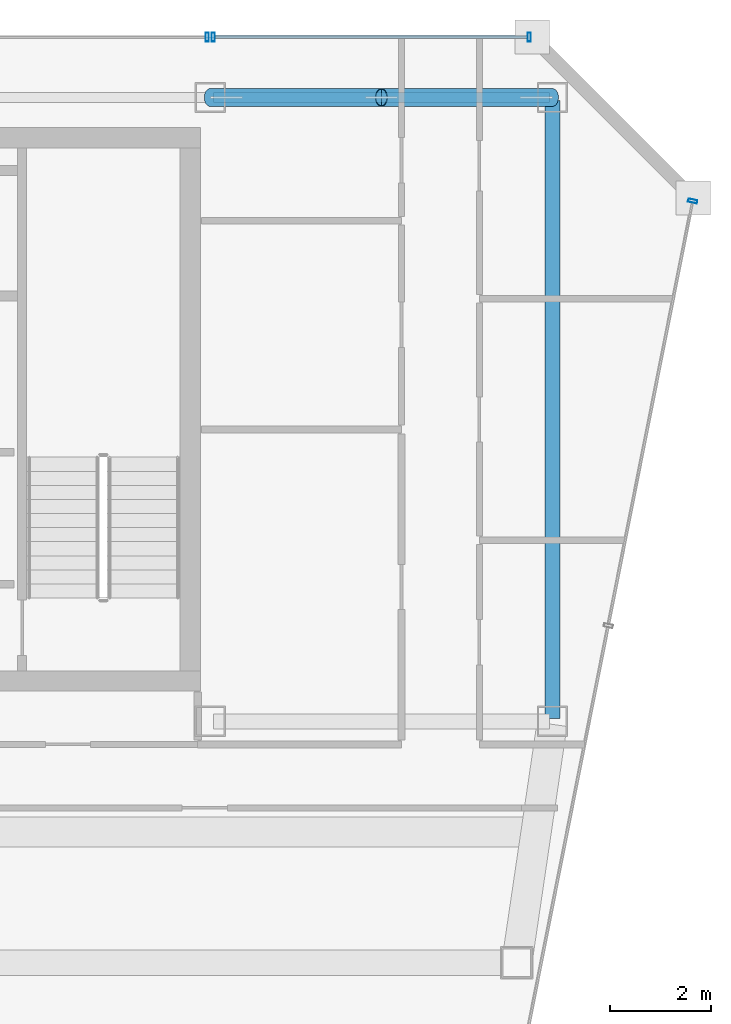
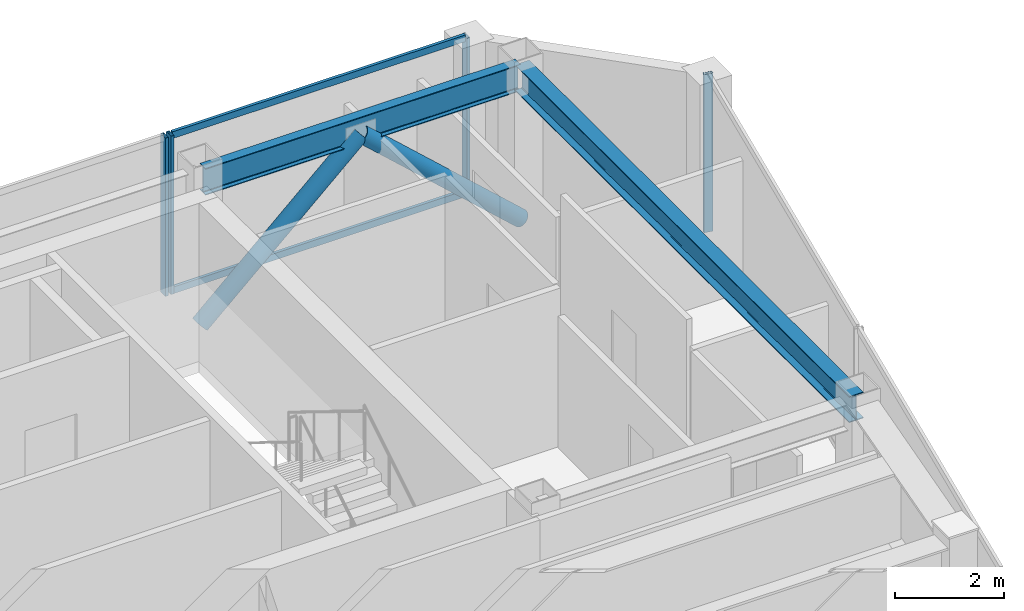
# One storey, part 17 of 24: 8 members, 2 beams, 3 elements without a shape of their own.
"""IFC4 building model written with IfcOpenShell, lengths in metres."""

from ifc_helpers import new_model, si_unit, direction, frame, origin, origin_2d, place, context, subcontext, project, spatial, hollow_rectangle, hollow_circle, i_section, extrude, material, material_profile, profile_set, type_object, element, aggregate, save


model = new_model("IFC4")

# Units and contexts
model_context = context("Model", 3, precision=1e-05, world=origin(), true_north=direction((0.0, 1.0)))
body_context = subcontext(model_context, "Body", "Model", "MODEL_VIEW")
ifc_project = project(units=[si_unit("LENGTHUNIT", "METRE"), si_unit("AREAUNIT", "SQUARE_METRE"), si_unit("VOLUMEUNIT", "CUBIC_METRE"), si_unit("PLANEANGLEUNIT", "RADIAN"), si_unit("MASSUNIT", "GRAM", prefix="KILO")], contexts=[model_context])

# Site, building, storey
site_placement = place(None, origin())
site = spatial("IfcSite", under=ifc_project, at=site_placement, CompositionType="ELEMENT")
building_placement = place(site_placement, origin())
building = spatial("IfcBuilding", under=site, at=building_placement, Name="Saevonmaru Cultural Tower", CompositionType="ELEMENT")
storey_placement = place(building_placement, frame((0.0, 0.0, 306.60009765625)))
storey = spatial("IfcBuildingStorey", under=building, at=storey_placement, Name="L73", CompositionType="ELEMENT", Elevation=306.60009765625)

# Beams
ifc_material_1 = material(Name="Steel SM355", Category="steel")
ifc_material_profile_1 = material_profile(ifc_material_1, i_section(OverallWidth=0.300048828125, OverallDepth=0.587890625, WebThickness=0.011962890625, FlangeThickness=0.02001953125, FilletRadius=0.02392578125, at=origin_2d()), Name="H-588x300x12x20")
ifc_profile_set_1 = profile_set([ifc_material_profile_1], Name="Steel SM355")
beam_type_1 = type_object("IfcBeamType", Name="BM-G-H588", PredefinedType="BEAM", material=ifc_profile_set_1)
beam_1_placement = place(storey_placement, frame((53.199951171875, 54.739990234375, 3.255859375), z_axis=(0.0, -1.0, 0.0), x_axis=(1.0, 0.0, 0.0)))
element("IfcBeam", 1, at=beam_1_placement, inside=storey, type_object=beam_type_1, Name="L73 Spine Transverse Girder E", PredefinedType="BEAM", context=body_context, shape_type="SweptSolid", body=[
    extrude(i_section(OverallWidth=0.300048828125, OverallDepth=0.587890625, WebThickness=0.011962890625, FlangeThickness=0.02001953125, FilletRadius=0.02392578125, at=origin_2d()), origin(), (0.0, 0.0, 1.0), 12.280029296875),
])
ifc_material_profile_2 = material_profile(ifc_material_1, i_section(OverallWidth=0.199951171875, OverallDepth=0.60009765625, WebThickness=0.010986328125, FlangeThickness=0.01708984375, FilletRadius=0.02197265625, at=origin_2d()), Name="H-600x200x11x17")
ifc_profile_set_2 = profile_set([ifc_material_profile_2], Name="Steel SM355")
beam_type_2 = type_object("IfcBeamType", Name="BM-SP-H600", PredefinedType="SPANDREL", material=ifc_profile_set_2)
beam_2_placement = place(storey_placement, frame((46.4599609375, 54.800048828125, 3.25), z_axis=(1.0, 0.0, 0.0), x_axis=(0.0, 1.0, 0.0)))
element("IfcBeam", 2, at=beam_2_placement, inside=storey, type_object=beam_type_2, Name="L73 North Spine Girder 5", PredefinedType="SPANDREL", context=body_context, shape_type="SweptSolid", body=[
    extrude(i_section(OverallWidth=0.199951171875, OverallDepth=0.60009765625, WebThickness=0.010986328125, FlangeThickness=0.01708984375, FilletRadius=0.02197265625, at=origin_2d()), origin(), (0.0, 0.0, 1.0), 6.679931640625),
])

# Members
ifc_material_profile_3 = material_profile(ifc_material_1, hollow_circle(Radius=0.177734375, WallThickness=0.01611328125, at=origin_2d()), Name="CHS-355.6x16")
ifc_profile_set_3 = profile_set([ifc_material_profile_3], Name="Steel SM355")
member_type_1 = type_object("IfcMemberType", Name="MB-PBR-CHS356", PredefinedType="BRACE", material=ifc_profile_set_3)
member_1_placement = place(storey_placement, frame((46.39990234375, 54.800048828125, 0.02001953125), z_axis=(0.738986146064, 0.0, 0.673720621568), x_axis=(0.0, 1.0, 0.0)))
element("IfcMember", 3, at=member_1_placement, inside=storey, type_object=member_type_1, Name="L73 Perimeter Braced-Tube Diagonal EN1", PredefinedType="BRACE", context=body_context, shape_type="SweptSolid", body=[
    extrude(hollow_circle(Radius=0.177734375, WallThickness=0.01611328125, at=origin_2d()), origin(), (0.0, 0.0, 1.0), 4.60107421875),
])
member_2_placement = place(storey_placement, frame((53.199951171875, 54.800048828125, 0.02001953125), z_axis=(-0.738962060105, 0.0, 0.673747039864), x_axis=(0.0, -1.0, 0.0)))
element("IfcMember", 4, at=member_2_placement, inside=storey, type_object=member_type_1, Name="L73 Perimeter Braced-Tube Diagonal EN2", PredefinedType="BRACE", context=body_context, shape_type="SweptSolid", body=[
    extrude(hollow_circle(Radius=0.177734375, WallThickness=0.01611328125, at=origin_2d()), origin(), (0.0, 0.0, 1.0), 4.600830078125),
])

# Curtain wall, member
ifc_material_2 = material(Name="Satin Bronze Anodised Aluminium", Category="aluminium")
curtain_wall_type = type_object("IfcCurtainWallType", Name="CW-TYP-B", PredefinedType="NOTDEFINED", material=ifc_material_2)
curtain_wall_1_placement = place(storey_placement, origin())
curtain_wall_1 = element("IfcCurtainWall", 5, at=curtain_wall_1_placement, inside=storey, type_object=curtain_wall_type, Name="L73 Unitised Curtain Wall E8", PredefinedType="NOTDEFINED")
ifc_material_profile_4 = material_profile(ifc_material_2, hollow_rectangle(XDim=0.06494140625, YDim=0.179931640625, WallThickness=0.00390625, at=origin_2d()), Name="ALU-MULL-180x65x4")
ifc_profile_set_4 = profile_set([ifc_material_profile_4], Name="Satin Bronze Anodised Aluminium")
member_type_2 = type_object("IfcMemberType", Name="ML-CW-180x65", PredefinedType="MULLION", material=ifc_profile_set_4)
member_3_placement = place(storey_placement, frame((55.98828125, 52.7412109375, 0.0), z_axis=(0.0, 0.0, 1.0), x_axis=(0.195005484813, 0.980802151758, 0.0)))
member_3 = element("IfcMember", 6, at=member_3_placement, type_object=member_type_2, Name="CW-TW-L73-E8 mullion 3", PredefinedType="MULLION", context=body_context, shape_type="SweptSolid", body=[
    extrude(hollow_rectangle(XDim=0.06494140625, YDim=0.179931640625, WallThickness=0.00390625, at=origin_2d()), origin(), (0.0, 0.0, 1.0), 3.5498046875),
])
aggregate(curtain_wall_1, [member_3])

# Curtain wall, members
curtain_wall_2_placement = place(storey_placement, origin())
curtain_wall_2 = element("IfcCurtainWall", 7, at=curtain_wall_2_placement, inside=storey, type_object=curtain_wall_type, Name="L73 East Braced Bay Spandrel Curtain Wall E10A", PredefinedType="NOTDEFINED")
member_4_placement = place(storey_placement, frame((52.739990234375, 56.0, 0.0), z_axis=(0.0, 0.0, 1.0), x_axis=(-1.0, 0.0, 0.0)))
member_4 = element("IfcMember", 8, at=member_4_placement, type_object=member_type_2, Name="CW-TW-L73-E10A mullion 1", PredefinedType="MULLION", context=body_context, shape_type="SweptSolid", body=[
    extrude(hollow_rectangle(XDim=0.06494140625, YDim=0.179931640625, WallThickness=0.00390625, at=origin_2d()), origin(), (0.0, 0.0, 1.0), 3.5498046875),
])
member_5_placement = place(storey_placement, frame((46.4599609375, 56.0, 0.0), z_axis=(0.0, 0.0, 1.0), x_axis=(-1.0, 0.0, 0.0)))
member_5 = element("IfcMember", 9, at=member_5_placement, type_object=member_type_2, Name="CW-TW-L73-E10A mullion 2", PredefinedType="MULLION", context=body_context, shape_type="SweptSolid", body=[
    extrude(hollow_rectangle(XDim=0.06494140625, YDim=0.179931640625, WallThickness=0.00390625, at=origin_2d()), origin(), (0.0, 0.0, 1.0), 3.5498046875),
])

# Curtain wall, member
curtain_wall_3_placement = place(storey_placement, origin())
curtain_wall_3 = element("IfcCurtainWall", 10, at=curtain_wall_3_placement, inside=storey, type_object=curtain_wall_type, Name="L73 North Spine Unitised Curtain Wall E10B", PredefinedType="NOTDEFINED")
member_6_placement = place(storey_placement, frame((46.340087890625, 56.0, 0.0), z_axis=(0.0, 0.0, 1.0), x_axis=(-1.0, 0.0, 0.0)))
member_6 = element("IfcMember", 11, at=member_6_placement, type_object=member_type_2, Name="CW-TW-L73-E10B mullion 1", PredefinedType="MULLION", context=body_context, shape_type="SweptSolid", body=[
    extrude(hollow_rectangle(XDim=0.06494140625, YDim=0.179931640625, WallThickness=0.00390625, at=origin_2d()), origin(), (0.0, 0.0, 1.0), 3.5498046875),
])
aggregate(curtain_wall_3, [member_6])

# Member
ifc_material_profile_5 = material_profile(ifc_material_2, hollow_rectangle(XDim=0.06494140625, YDim=0.14990234375, WallThickness=0.00390625, at=origin_2d()), Name="ALU-TRAN-150x65x4")
ifc_profile_set_5 = profile_set([ifc_material_profile_5], Name="Satin Bronze Anodised Aluminium")
member_type_3 = type_object("IfcMemberType", Name="TR-CW-150x65", PredefinedType="USERDEFINED", material=ifc_profile_set_5)
member_7_placement = place(storey_placement, frame((52.70751953125, 56.0, 0.032470703125), z_axis=(-1.0, 0.0, 0.0), x_axis=(0.0, -1.0, 0.0)))
member_7 = element("IfcMember", 12, at=member_7_placement, type_object=member_type_3, Name="CW-TW-L73-E10A transom 1.1", ObjectType="TRANSOM", PredefinedType="USERDEFINED", context=body_context, shape_type="SweptSolid", body=[
    extrude(hollow_rectangle(XDim=0.06494140625, YDim=0.14990234375, WallThickness=0.00390625, at=origin_2d()), origin(), (0.0, 0.0, 1.0), 6.215087890625),
])

member_8_placement = place(storey_placement, frame((52.70751953125, 56.0, 3.517333984375), z_axis=(-1.0, 0.0, 0.0), x_axis=(0.0, -1.0, 0.0)))
member_8 = element("IfcMember", 13, at=member_8_placement, type_object=member_type_3, Name="CW-TW-L73-E10A transom 1.2", ObjectType="TRANSOM", PredefinedType="USERDEFINED", context=body_context, shape_type="SweptSolid", body=[
    extrude(hollow_rectangle(XDim=0.06494140625, YDim=0.14990234375, WallThickness=0.00390625, at=origin_2d()), origin(), (0.0, 0.0, 1.0), 6.215087890625),
])

aggregate(curtain_wall_2, [member_4, member_5, member_7, member_8])

save(model, "model.ifc")
